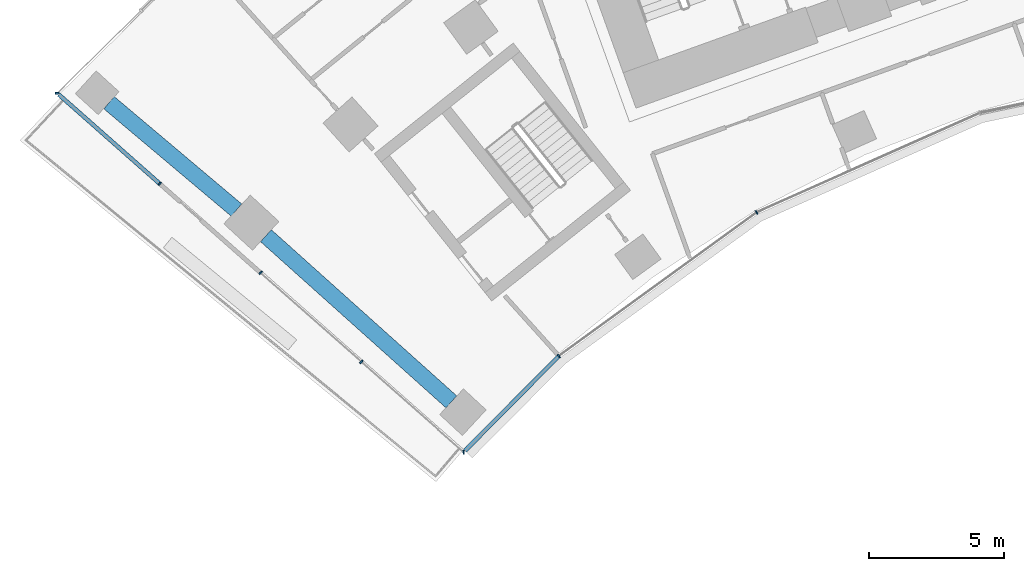
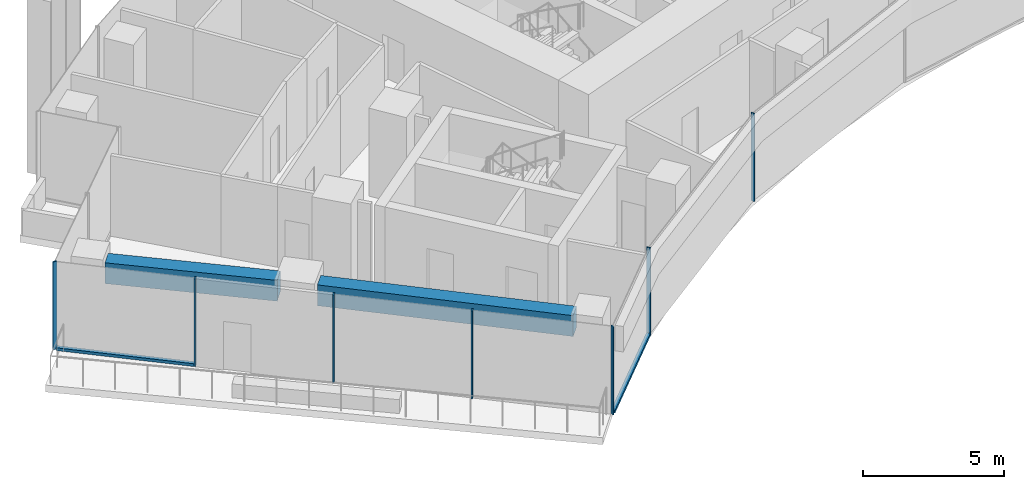
# One storey, part 2 of 21: 9 members, 2 beams, 2 elements without a shape of their own.
"""IFC4 building model written with IfcOpenShell, lengths in metres."""

from ifc_helpers import new_model, si_unit, direction, frame, origin, origin_2d, place, context, subcontext, project, spatial, rectangle, extrude, material, layer, layer_set, material_profile, profile_set, type_object, element, aggregate, save


model = new_model("IFC4")

# Units and contexts
model_context = context("Model", 3, precision=1e-05, world=origin(), true_north=direction((0.0, 1.0)))
body_context = subcontext(model_context, "Body", "Model", "MODEL_VIEW")
ifc_project = project(units=[si_unit("LENGTHUNIT", "METRE"), si_unit("AREAUNIT", "SQUARE_METRE"), si_unit("VOLUMEUNIT", "CUBIC_METRE"), si_unit("PLANEANGLEUNIT", "RADIAN"), si_unit("MASSUNIT", "GRAM", prefix="KILO")], contexts=[model_context])

# Site, building, storey
site_placement = place(None, origin())
site = spatial("IfcSite", under=ifc_project, at=site_placement, CompositionType="ELEMENT")
building_placement = place(site_placement, origin())
building = spatial("IfcBuilding", under=site, at=building_placement, Name="Stone Belt Terrace Tower", CompositionType="ELEMENT")
storey_placement = place(building_placement, frame((0.0, 0.0, 113.60009765625)))
storey = spatial("IfcBuildingStorey", under=building, at=storey_placement, Name="L27", CompositionType="ELEMENT", Elevation=113.60009765625)

# Curtain wall, members
ifc_material_1 = material(Name="Aluminium 6063-T6 anodised frame", Category="aluminium")
ifc_layer_1 = layer(ifc_material_1, 0.14990234375)
ifc_layer_set_1 = layer_set([ifc_layer_1], Name="CW-B unitised concave-face curtain wall")
curtain_wall_type_1 = type_object("IfcCurtainWallType", Name="CW-B unitised concave-face curtain wall", PredefinedType="NOTDEFINED", material=ifc_layer_set_1)
curtain_wall_1_placement = place(storey_placement, origin())
curtain_wall_1 = element("IfcCurtainWall", 1, at=curtain_wall_1_placement, inside=storey, type_object=curtain_wall_type_1, Name="CW-B concave face L27", PredefinedType="NOTDEFINED")
ifc_material_profile_1 = material_profile(ifc_material_1, rectangle(XDim=0.14990234375, YDim=0.050048828125, at=origin_2d()), Name="Aluminium 6063-T6 50x150")
ifc_profile_set_1 = profile_set([ifc_material_profile_1], Name="Aluminium 6063-T6 anodised frame")
member_type_1 = type_object("IfcMemberType", Name="CW-B mullion 50 x 150", PredefinedType="MULLION", material=ifc_profile_set_1)
member_1_placement = place(storey_placement, frame((-32.598876953125, 28.695068359375, 0.0), z_axis=(0.0, 0.0, 1.0), x_axis=(-0.03330979067, 0.999445074952, 0.0)))
member_1 = element("IfcMember", 2, at=member_1_placement, type_object=member_type_1, Name="CW-B mullion 1", PredefinedType="MULLION", context=body_context, shape_type="SweptSolid", body=[
    extrude(rectangle(XDim=0.14990234375, YDim=0.050048828125, at=origin_2d()), origin(), (0.0, 0.0, 1.0), 3.7998046875),
])
member_2_placement = place(storey_placement, frame((-29.05810546875, 32.269775390625, 0.0), z_axis=(0.0, 0.0, 1.0), x_axis=(-0.651254965366, 0.758858992229, 0.0)))
member_2 = element("IfcMember", 3, at=member_2_placement, type_object=member_type_1, Name="CW-B mullion 2", PredefinedType="MULLION", context=body_context, shape_type="SweptSolid", body=[
    extrude(rectangle(XDim=0.14990234375, YDim=0.050048828125, at=origin_2d()), origin(), (0.0, 0.0, 1.0), 3.7998046875),
])
member_3_placement = place(storey_placement, frame((-21.71240234375, 37.606689453125, 0.0), z_axis=(0.0, 0.0, 1.0), x_axis=(-0.5, 0.866025403784, 0.0)))
member_3 = element("IfcMember", 4, at=member_3_placement, type_object=member_type_1, Name="CW-B mullion 3", PredefinedType="MULLION", context=body_context, shape_type="SweptSolid", body=[
    extrude(rectangle(XDim=0.14990234375, YDim=0.050048828125, at=origin_2d()), origin(), (0.0, 0.0, 1.0), 3.7998046875),
])
ifc_material_profile_2 = material_profile(ifc_material_1, rectangle(XDim=0.14990234375, YDim=0.1201171875, at=origin_2d()), Name="Aluminium 6063-T6 150x120")
ifc_profile_set_2 = profile_set([ifc_material_profile_2], Name="Aluminium 6063-T6 anodised frame")
member_type_2 = type_object("IfcMemberType", Name="CW-B transom 120 x 150", PredefinedType="USERDEFINED", material=ifc_profile_set_2)
member_4_placement = place(storey_placement, frame((-32.5498046875, 28.74462890625, 0.059814453125), z_axis=(0.703706870473, 0.710490422489, 0.0), x_axis=(-0.710490422489, 0.703706870473, 0.0)))
member_4 = element("IfcMember", 5, at=member_4_placement, type_object=member_type_2, Name="CW-B transom 1.1", ObjectType="TRANSOM", PredefinedType="USERDEFINED", context=body_context, shape_type="SweptSolid", body=[
    extrude(rectangle(XDim=0.14990234375, YDim=0.1201171875, at=origin_2d()), origin(), (0.0, 0.0, 1.0), 4.9306640625),
])
aggregate(curtain_wall_1, [member_1, member_2, member_3, member_4])

ifc_layer_2 = layer(ifc_material_1, 0.14990234375)
ifc_layer_set_2 = layer_set([ifc_layer_2], Name="CW-C stick curtain wall, horn ends and notches")
curtain_wall_type_2 = type_object("IfcCurtainWallType", Name="CW-C stick curtain wall, horn ends and notches", PredefinedType="NOTDEFINED", material=ifc_layer_set_2)
curtain_wall_2_placement = place(storey_placement, origin())
curtain_wall_2 = element("IfcCurtainWall", 6, at=curtain_wall_2_placement, inside=storey, type_object=curtain_wall_type_2, Name="CW-C end face L27", PredefinedType="NOTDEFINED")
ifc_material_profile_3 = material_profile(ifc_material_1, rectangle(XDim=0.14990234375, YDim=0.06005859375, at=origin_2d()), Name="Aluminium 6063-T6 60x150")
ifc_profile_set_3 = profile_set([ifc_material_profile_3], Name="Aluminium 6063-T6 anodised frame")
member_type_3 = type_object("IfcMemberType", Name="CW-C mullion 60 x 150", PredefinedType="MULLION", material=ifc_profile_set_3)
member_5_placement = place(storey_placement, frame((-47.70166015625, 42.035888671875, 0.0), z_axis=(0.0, 0.0, 1.0), x_axis=(0.99960690559, 0.02803630319, 0.0)))
member_5 = element("IfcMember", 7, at=member_5_placement, type_object=member_type_3, Name="CW-C mullion 1", PredefinedType="MULLION", context=body_context, shape_type="SweptSolid", body=[
    extrude(rectangle(XDim=0.14990234375, YDim=0.06005859375, at=origin_2d()), origin(), (0.0, 0.0, 1.0), 3.7998046875),
])
member_6_placement = place(storey_placement, frame((-43.89404296875, 38.672607421875, 0.0), z_axis=(0.0, 0.0, 1.0), x_axis=(0.662029635427, 0.749477659318, 0.0)))
member_6 = element("IfcMember", 8, at=member_6_placement, type_object=member_type_3, Name="CW-C mullion 2", PredefinedType="MULLION", context=body_context, shape_type="SweptSolid", body=[
    extrude(rectangle(XDim=0.14990234375, YDim=0.06005859375, at=origin_2d()), origin(), (0.0, 0.0, 1.0), 3.7998046875),
])
member_7_placement = place(storey_placement, frame((-40.146728515625, 35.3623046875, 0.0), z_axis=(0.0, 0.0, 1.0), x_axis=(0.662029635427, 0.749477659318, 0.0)))
member_7 = element("IfcMember", 9, at=member_7_placement, type_object=member_type_3, Name="CW-C mullion 3", PredefinedType="MULLION", context=body_context, shape_type="SweptSolid", body=[
    extrude(rectangle(XDim=0.14990234375, YDim=0.06005859375, at=origin_2d()), origin(), (0.0, 0.0, 1.0), 3.7998046875),
])
member_8_placement = place(storey_placement, frame((-36.3994140625, 32.05224609375, 0.0), z_axis=(0.0, 0.0, 1.0), x_axis=(0.662029635427, 0.749477659318, 0.0)))
member_8 = element("IfcMember", 10, at=member_8_placement, type_object=member_type_3, Name="CW-C mullion 4", PredefinedType="MULLION", context=body_context, shape_type="SweptSolid", body=[
    extrude(rectangle(XDim=0.14990234375, YDim=0.06005859375, at=origin_2d()), origin(), (0.0, 0.0, 1.0), 3.7998046875),
])
ifc_material_profile_4 = material_profile(ifc_material_1, rectangle(XDim=0.14990234375, YDim=0.1201171875, at=origin_2d()), Name="Aluminium 6063-T6 150x120")
ifc_profile_set_4 = profile_set([ifc_material_profile_4], Name="Aluminium 6063-T6 anodised frame")
member_type_4 = type_object("IfcMemberType", Name="CW-C transom 120 x 150", PredefinedType="USERDEFINED", material=ifc_profile_set_4)
member_9_placement = place(storey_placement, frame((-47.645263671875, 41.986083984375, 0.059814453125), z_axis=(0.749476864033, -0.66203053576, 0.0), x_axis=(0.66203053576, 0.749476864033, 0.0)))
member_9 = element("IfcMember", 11, at=member_9_placement, type_object=member_type_4, Name="CW-C transom 1.1", ObjectType="TRANSOM", PredefinedType="USERDEFINED", context=body_context, shape_type="SweptSolid", body=[
    extrude(rectangle(XDim=0.14990234375, YDim=0.1201171875, at=origin_2d()), origin(), (0.0, 0.0, 1.0), 4.97509765625),
])
aggregate(curtain_wall_2, [member_5, member_6, member_7, member_8, member_9])

# Beams
ifc_material_2 = material(Name="Concrete B60", Category="concrete")
ifc_material_profile_5 = material_profile(ifc_material_2, rectangle(XDim=0.60009765625, YDim=0.89990234375, at=origin_2d()), Name="RC 600x900")
ifc_profile_set_5 = profile_set([ifc_material_profile_5], Name="Concrete B60")
beam_type = type_object("IfcBeamType", Name="Edge beam RC 600x900 B60", PredefinedType="SPANDREL", material=ifc_profile_set_5)
beam_1_placement = place(storey_placement, frame((-33.0546875, 30.564208984375, 3.02978515625), z_axis=(-0.744753401213, 0.667339772067, 0.0), x_axis=(-0.667339772067, -0.744753401213, 0.0)))
element("IfcBeam", 12, at=beam_1_placement, inside=storey, type_object=beam_type, Name="Edge beam L27 A P to Q", PredefinedType="SPANDREL", context=body_context, shape_type="SweptSolid", body=[
    extrude(rectangle(XDim=0.60009765625, YDim=0.89990234375, at=origin_2d()), origin(), (0.0, 0.0, 1.0), 9.256103515625),
])
beam_2_placement = place(storey_placement, frame((-41.043212890625, 37.692626953125, 3.02978515625), z_axis=(-0.764730245588, 0.644350565673, 0.0), x_axis=(-0.644350565673, -0.764730245588, 0.0)))
element("IfcBeam", 13, at=beam_2_placement, inside=storey, type_object=beam_type, Name="Edge beam L27 A Q to R", PredefinedType="SPANDREL", context=body_context, shape_type="SweptSolid", body=[
    extrude(rectangle(XDim=0.60009765625, YDim=0.89990234375, at=origin_2d()), origin(), (0.0, 0.0, 1.0), 6.19384765625),
])

save(model, "model.ifc")
